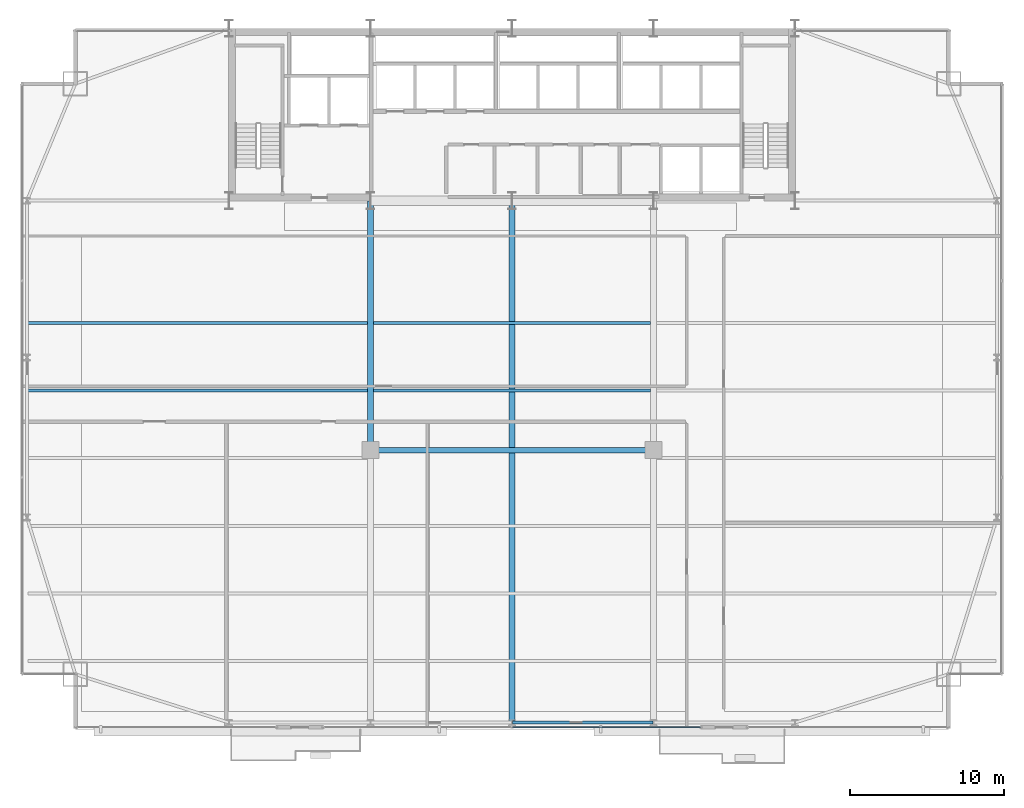
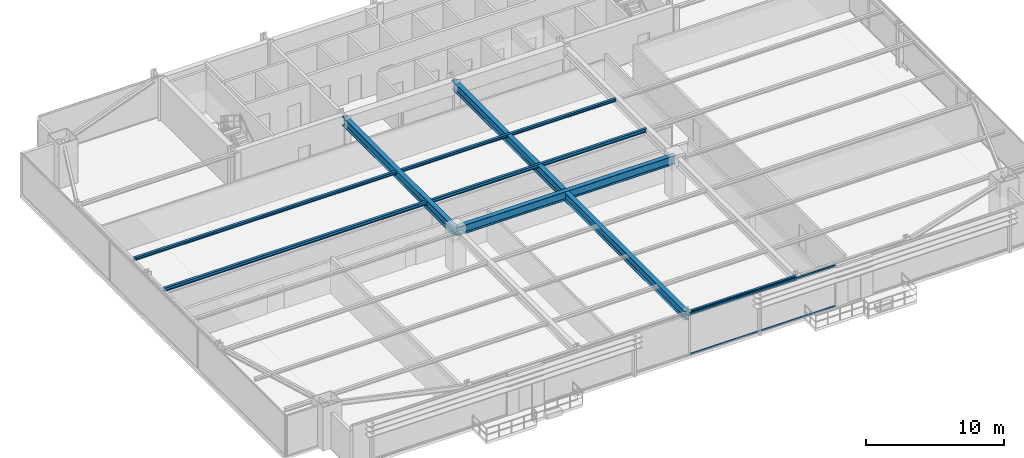
# One storey, part 11 of 31: 8 beams, 2 members, 1 element without a shape of its own.
"""IFC4 building model written with IfcOpenShell, lengths in metres."""

from ifc_helpers import new_model, si_unit, direction, frame, origin, origin_2d, place, context, subcontext, project, spatial, hollow_rectangle, i_section, extrude, source, transform, mapped, material, layer, layer_set, material_profile, profile_set, type_object, type_shapes, element, aggregate, save


model = new_model("IFC4")

# Units and contexts
model_context = context("Model", 3, precision=1e-05, world=origin(), true_north=direction((0.0, 1.0)))
body_context = subcontext(model_context, "Body", "Model", "MODEL_VIEW")
ifc_project = project(units=[si_unit("LENGTHUNIT", "METRE"), si_unit("AREAUNIT", "SQUARE_METRE"), si_unit("VOLUMEUNIT", "CUBIC_METRE"), si_unit("PLANEANGLEUNIT", "RADIAN"), si_unit("MASSUNIT", "GRAM", prefix="KILO")], contexts=[model_context])

# Site, building, storey
site_placement = place(None, origin())
site = spatial("IfcSite", under=ifc_project, at=site_placement, CompositionType="ELEMENT")
building_placement = place(site_placement, origin())
building = spatial("IfcBuilding", under=site, at=building_placement, Name="Varnel Quay Broadcast Tower", CompositionType="ELEMENT")
storey_placement = place(building_placement, frame((0.0, 0.0, 51.0)))
storey = spatial("IfcBuildingStorey", under=building, at=storey_placement, Name="L11", CompositionType="ELEMENT", Elevation=51.0)

# Beams
ifc_material_1 = material(Name="Structural Steel CSA G40.21 350W", Category="steel")
ifc_material_profile_1 = material_profile(ifc_material_1, i_section(OverallWidth=0.180908203125, OverallDepth=0.4169921875, WebThickness=0.010986328125, FlangeThickness=0.018310546875, FilletRadius=0.011962890625, at=origin_2d()), Name="W410X85")
ifc_profile_set_1 = profile_set([ifc_material_profile_1], Name="Structural Steel CSA G40.21 350W")
beam_type_1 = type_object("IfcBeamType", Name="Beam_W410X85", PredefinedType="SPANDREL", material=ifc_profile_set_1)
shared_shape_1 = source(origin(), body_context, "Body", "SweptSolid", [
    extrude(i_section(OverallWidth=0.180908203125, OverallDepth=0.4169921875, WebThickness=0.010986328125, FlangeThickness=0.018310546875, FilletRadius=0.011962890625, at=origin_2d()), origin(), (0.0, 0.0, 1.0), 9.159912109375),
])
type_shapes(beam_type_1, [shared_shape_1])
beam_1_placement = place(storey_placement, frame((34.02001953125, 1.64990234375, 3.44140625), z_axis=(1.0, 0.0, 0.0), x_axis=(0.0, 1.0, 0.0)))
element("IfcBeam", 1, at=beam_1_placement, inside=storey, type_object=beam_type_1, Name="L11 South Spandrel TC-S3-TC-S4", PredefinedType="SPANDREL", context=body_context, shape_type="MappedRepresentation", body=[
    mapped(shared_shape_1, transform((0.0, 0.0, 0.0), x_axis=(1.0, 0.0, 0.0), y_axis=(0.0, 1.0, 0.0), z_axis=(0.0, 0.0, 1.0), scale=1.0)),
])
ifc_material_profile_2 = material_profile(ifc_material_1, i_section(OverallWidth=0.381103515625, OverallDepth=0.77294921875, WebThickness=0.0166015625, FlangeThickness=0.027587890625, FilletRadius=0.01806640625, at=origin_2d()), Name="W760X257")
ifc_profile_set_2 = profile_set([ifc_material_profile_2], Name="Structural Steel CSA G40.21 350W")
beam_type_2 = type_object("IfcBeamType", Name="Girder_W760X257", PredefinedType="BEAM", material=ifc_profile_set_2)
shared_shape_2 = source(origin(), body_context, "Body", "SweptSolid", [
    extrude(i_section(OverallWidth=0.381103515625, OverallDepth=0.77294921875, WebThickness=0.0166015625, FlangeThickness=0.027587890625, FilletRadius=0.01806640625, at=origin_2d()), origin(), (0.0, 0.0, 1.0), 16.190185546875),
])
beam_2_placement = place(storey_placement, frame((24.800048828125, 19.389892578125, 3.263427734375), z_axis=(0.0, 1.0, 0.0), x_axis=(-1.0, 0.0, 0.0)))
element("IfcBeam", 2, at=beam_2_placement, inside=storey, type_object=beam_type_2, Name="L11 Primary Girder IC-01-CC-S2", PredefinedType="BEAM", context=body_context, shape_type="MappedRepresentation", body=[
    mapped(shared_shape_2, transform((0.0, 0.0, 0.0), x_axis=(1.0, 0.0, 0.0), y_axis=(0.0, 1.0, 0.0), z_axis=(0.0, 0.0, 1.0), scale=1.0)),
])
shared_shape_3 = source(origin(), body_context, "Body", "SweptSolid", [
    extrude(i_section(OverallWidth=0.381103515625, OverallDepth=0.77294921875, WebThickness=0.0166015625, FlangeThickness=0.027587890625, FilletRadius=0.01806640625, at=origin_2d()), origin(), (0.0, 0.0, 1.0), 18.35986328125),
])
beam_3_placement = place(storey_placement, frame((24.820068359375, 19.3701171875, 3.263427734375), z_axis=(1.0, 0.0, 0.0), x_axis=(0.0, 1.0, 0.0)))
element("IfcBeam", 3, at=beam_3_placement, inside=storey, type_object=beam_type_2, Name="L11 Interior Spine Girder", PredefinedType="BEAM", context=body_context, shape_type="MappedRepresentation", body=[
    mapped(shared_shape_3, transform((0.0, 0.0, 0.0), x_axis=(1.0, 0.0, 0.0), y_axis=(0.0, 1.0, 0.0), z_axis=(0.0, 0.0, 1.0), scale=1.0)),
])
shared_shape_4 = source(origin(), body_context, "Body", "SweptSolid", [
    extrude(i_section(OverallWidth=0.381103515625, OverallDepth=0.77294921875, WebThickness=0.0166015625, FlangeThickness=0.027587890625, FilletRadius=0.01806640625, at=origin_2d()), origin(), (0.0, 0.0, 1.0), 33.91015625),
])
type_shapes(beam_type_2, [shared_shape_2, shared_shape_3, shared_shape_4])
beam_4_placement = place(storey_placement, frame((34.0, 1.669921875, 3.263427734375), z_axis=(0.0, 1.0, 0.0), x_axis=(-1.0, 0.0, 0.0)))
element("IfcBeam", 4, at=beam_4_placement, inside=storey, type_object=beam_type_2, Name="L11 Central Bay Girder", PredefinedType="BEAM", context=body_context, shape_type="MappedRepresentation", body=[
    mapped(shared_shape_4, transform((0.0, 0.0, 0.0), x_axis=(1.0, 0.0, 0.0), y_axis=(0.0, 1.0, 0.0), z_axis=(0.0, 0.0, 1.0), scale=1.0)),
])
ifc_material_profile_3 = material_profile(ifc_material_1, i_section(OverallWidth=0.202880859375, OverallDepth=0.302978515625, WebThickness=0.007568359375, FlangeThickness=0.01318359375, FilletRadius=0.011962890625, at=origin_2d()), Name="W310X60")
ifc_profile_set_3 = profile_set([ifc_material_profile_3], Name="Structural Steel CSA G40.21 350W")
beam_type_3 = type_object("IfcBeamType", Name="Beam_W310X60", PredefinedType="JOIST", material=ifc_profile_set_3)
shared_shape_5 = source(origin(), body_context, "Body", "SweptSolid", [
    extrude(i_section(OverallWidth=0.202880859375, OverallDepth=0.302978515625, WebThickness=0.007568359375, FlangeThickness=0.01318359375, FilletRadius=0.011962890625, at=origin_2d()), origin(), (0.0, 0.0, 1.0), 22.0791015625),
])
beam_5_placement = place(storey_placement, frame((2.535400390625, 23.25, 3.49853515625), z_axis=(1.0, 0.0, 0.0), x_axis=(0.0, 1.0, 0.0)))
element("IfcBeam", 5, at=beam_5_placement, inside=storey, type_object=beam_type_3, Name="L11 West Floor Joist 5", PredefinedType="JOIST", context=body_context, shape_type="MappedRepresentation", body=[
    mapped(shared_shape_5, transform((0.0, 0.0, 0.0), x_axis=(1.0, 0.0, 0.0), y_axis=(0.0, 1.0, 0.0), z_axis=(0.0, 0.0, 1.0), scale=1.0)),
])
shared_shape_6 = source(origin(), body_context, "Body", "SweptSolid", [
    extrude(i_section(OverallWidth=0.202880859375, OverallDepth=0.302978515625, WebThickness=0.007568359375, FlangeThickness=0.01318359375, FilletRadius=0.011962890625, at=origin_2d()), origin(), (0.0, 0.0, 1.0), 18.02880859375),
])
type_shapes(beam_type_3, [shared_shape_5, shared_shape_6])
beam_6_placement = place(storey_placement, frame((24.985595703125, 23.25, 3.49853515625), z_axis=(1.0, 0.0, 0.0), x_axis=(0.0, 1.0, 0.0)))
element("IfcBeam", 6, at=beam_6_placement, inside=storey, type_object=beam_type_3, Name="L11 Central Floor Joist 5", PredefinedType="JOIST", context=body_context, shape_type="MappedRepresentation", body=[
    mapped(shared_shape_6, transform((0.0, 0.0, 0.0), x_axis=(1.0, 0.0, 0.0), y_axis=(0.0, 1.0, 0.0), z_axis=(0.0, 0.0, 1.0), scale=1.0)),
])
ifc_material_profile_4 = material_profile(ifc_material_1, i_section(OverallWidth=0.201904296875, OverallDepth=0.2470703125, WebThickness=0.00732421875, FlangeThickness=0.010986328125, FilletRadius=0.010986328125, at=origin_2d()), Name="W250X49")
ifc_profile_set_4 = profile_set([ifc_material_profile_4], Name="Structural Steel CSA G40.21 350W")
beam_type_4 = type_object("IfcBeamType", Name="Beam_W250X49", PredefinedType="JOIST", material=ifc_profile_set_4)
shared_shape_7 = source(origin(), body_context, "Body", "SweptSolid", [
    extrude(i_section(OverallWidth=0.201904296875, OverallDepth=0.2470703125, WebThickness=0.00732421875, FlangeThickness=0.010986328125, FilletRadius=0.010986328125, at=origin_2d()), origin(), (0.0, 0.0, 1.0), 22.0791015625),
])
beam_7_placement = place(storey_placement, frame((2.535400390625, 27.64990234375, 3.526611328125), z_axis=(1.0, 0.0, 0.0), x_axis=(0.0, 1.0, 0.0)))
element("IfcBeam", 7, at=beam_7_placement, inside=storey, type_object=beam_type_4, Name="L11 West Floor Joist 6", PredefinedType="JOIST", context=body_context, shape_type="MappedRepresentation", body=[
    mapped(shared_shape_7, transform((0.0, 0.0, 0.0), x_axis=(1.0, 0.0, 0.0), y_axis=(0.0, 1.0, 0.0), z_axis=(0.0, 0.0, 1.0), scale=1.0)),
])
shared_shape_8 = source(origin(), body_context, "Body", "SweptSolid", [
    extrude(i_section(OverallWidth=0.201904296875, OverallDepth=0.2470703125, WebThickness=0.00732421875, FlangeThickness=0.010986328125, FilletRadius=0.010986328125, at=origin_2d()), origin(), (0.0, 0.0, 1.0), 18.02880859375),
])
type_shapes(beam_type_4, [shared_shape_7, shared_shape_8])
beam_8_placement = place(storey_placement, frame((24.985595703125, 27.64990234375, 3.526611328125), z_axis=(1.0, 0.0, 0.0), x_axis=(0.0, 1.0, 0.0)))
element("IfcBeam", 8, at=beam_8_placement, inside=storey, type_object=beam_type_4, Name="L11 Central Floor Joist 6", PredefinedType="JOIST", context=body_context, shape_type="MappedRepresentation", body=[
    mapped(shared_shape_8, transform((0.0, 0.0, 0.0), x_axis=(1.0, 0.0, 0.0), y_axis=(0.0, 1.0, 0.0), z_axis=(0.0, 0.0, 1.0), scale=1.0)),
])

# Curtain wall, members
ifc_material_2 = material(Name="Anodised Bronze Aluminium 6063-T6", Category="aluminium")
ifc_layer = layer(ifc_material_2, 0.18994140625, Name="Anodised Bronze Aluminium 6063-T6")
ifc_layer_set = layer_set([ifc_layer], Name="Anodised Bronze Aluminium 6063-T6")
curtain_wall_type = type_object("IfcCurtainWallType", Name="CW_LowerTower", PredefinedType="NOTDEFINED", material=ifc_layer_set)
curtain_wall_placement = place(storey_placement, origin())
curtain_wall = element("IfcCurtainWall", 9, at=curtain_wall_placement, inside=storey, type_object=curtain_wall_type, Name="L11 South Unitised Curtain Wall 2", PredefinedType="NOTDEFINED")
ifc_material_profile_5 = material_profile(ifc_material_2, hollow_rectangle(XDim=0.06005859375, YDim=0.14501953125, WallThickness=0.00341796875, at=origin_2d()), Name="ALU60X145X3.5")
ifc_profile_set_5 = profile_set([ifc_material_profile_5], Name="Anodised Bronze Aluminium 6063-T6")
member_type = type_object("IfcMemberType", Name="Tran_CWS-02", PredefinedType="USERDEFINED", material=ifc_profile_set_5)
shared_shape_9 = source(origin(), body_context, "Body", "SweptSolid", [
    extrude(hollow_rectangle(XDim=0.06005859375, YDim=0.14501953125, WallThickness=0.00341796875, at=origin_2d()), origin(), (0.0, 0.0, 1.0), 12.215087890625),
])
type_shapes(member_type, [shared_shape_9])
member_1_placement = place(storey_placement, frame((34.034912109375, 1.35009765625, 0.030029296875), z_axis=(1.0, 0.0, 0.0), x_axis=(0.0, 1.0, 0.0)))
member_1 = element("IfcMember", 10, at=member_1_placement, type_object=member_type, Name="CWS-02 transom 2.1", ObjectType="TRANSOM", PredefinedType="USERDEFINED", context=body_context, shape_type="MappedRepresentation", body=[
    mapped(shared_shape_9, transform((0.0, 0.0, 0.0), x_axis=(1.0, 0.0, 0.0), y_axis=(0.0, 1.0, 0.0), z_axis=(0.0, 0.0, 1.0), scale=1.0)),
])
member_2_placement = place(storey_placement, frame((34.034912109375, 1.35009765625, 3.6201171875), z_axis=(1.0, 0.0, 0.0), x_axis=(0.0, 1.0, 0.0)))
member_2 = element("IfcMember", 11, at=member_2_placement, type_object=member_type, Name="CWS-02 transom 2.2", ObjectType="TRANSOM", PredefinedType="USERDEFINED", context=body_context, shape_type="MappedRepresentation", body=[
    mapped(shared_shape_9, transform((0.0, 0.0, 0.0), x_axis=(1.0, 0.0, 0.0), y_axis=(0.0, 1.0, 0.0), z_axis=(0.0, 0.0, 1.0), scale=1.0)),
])
aggregate(curtain_wall, [member_1, member_2])

save(model, "model.ifc")
